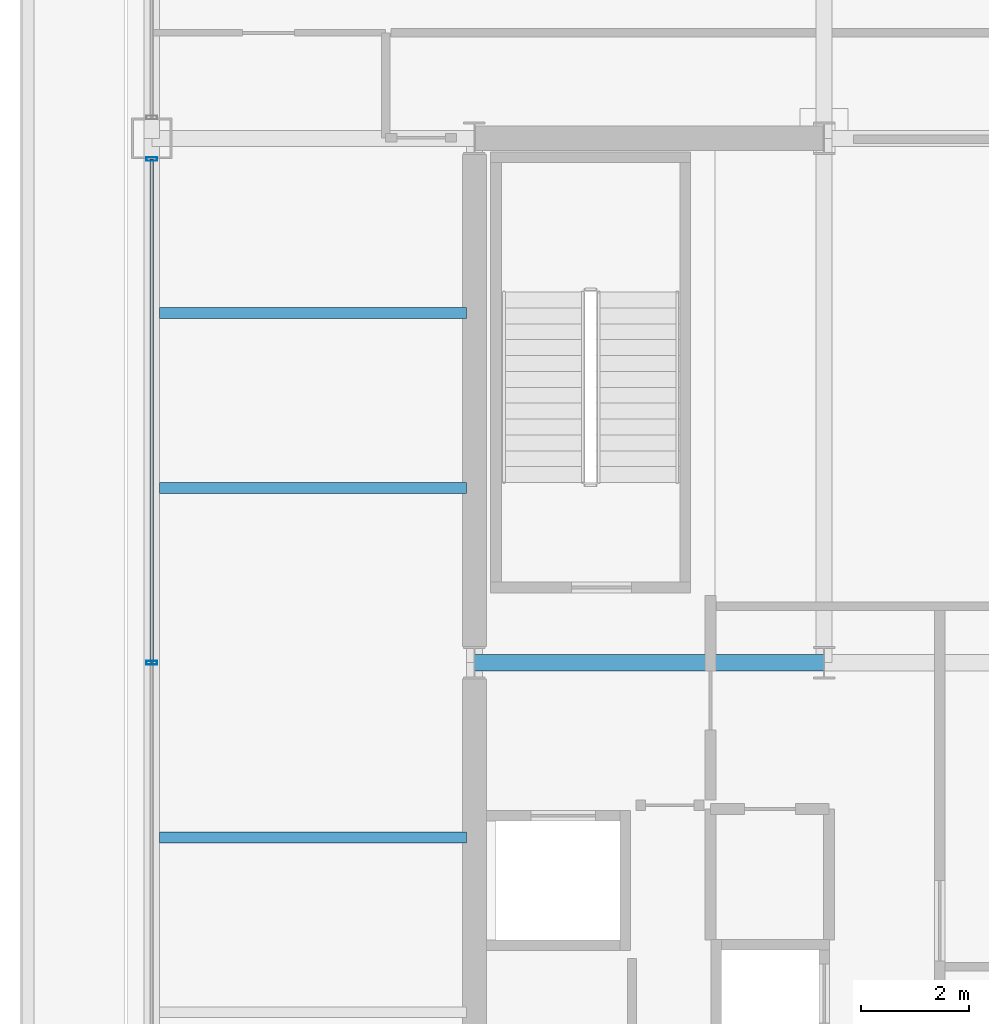
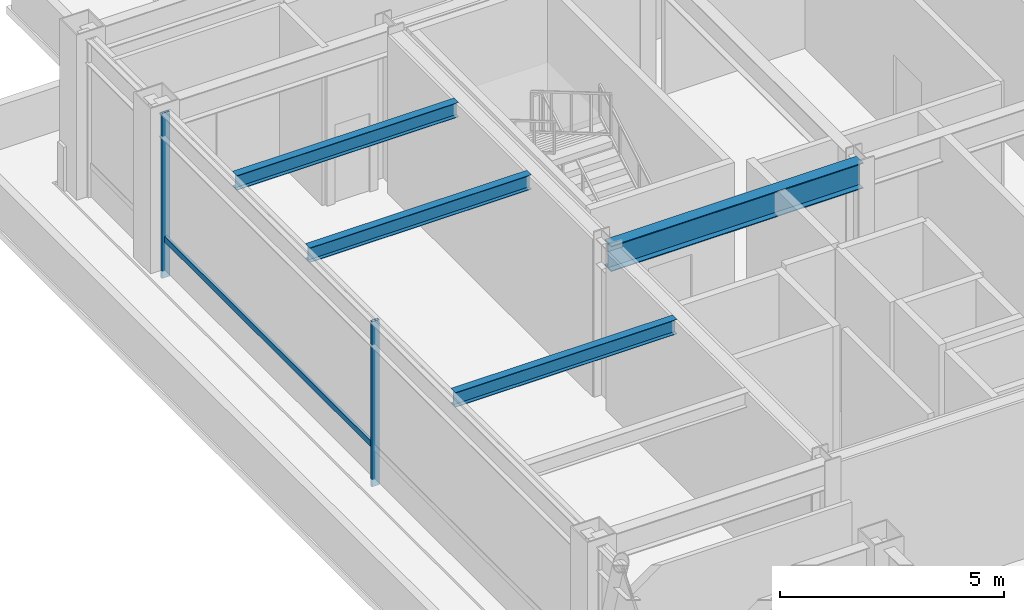
# One storey, part 7 of 24: 4 beams, 3 members, 1 element without a shape of its own.
"""IFC4 building model written with IfcOpenShell, lengths in metres."""

from ifc_helpers import new_model, si_unit, direction, frame, origin, origin_2d, place, context, subcontext, project, spatial, hollow_rectangle, i_section, extrude, material, layer, layer_set, material_profile, profile_set, type_object, element, aggregate, save


model = new_model("IFC4")

# Units and contexts
model_context = context("Model", 3, precision=1e-05, world=origin(), true_north=direction((0.0, 1.0)))
body_context = subcontext(model_context, "Body", "Model", "MODEL_VIEW")
ifc_project = project(units=[si_unit("LENGTHUNIT", "METRE"), si_unit("AREAUNIT", "SQUARE_METRE"), si_unit("VOLUMEUNIT", "CUBIC_METRE"), si_unit("PLANEANGLEUNIT", "RADIAN"), si_unit("MASSUNIT", "GRAM", prefix="KILO")], contexts=[model_context])

# Site, building, storey
site_placement = place(None, origin())
site = spatial("IfcSite", under=ifc_project, at=site_placement, CompositionType="ELEMENT")
building_placement = place(site_placement, origin())
building = spatial("IfcBuilding", under=site, at=building_placement, Name="Brelmoor Portico Tower", CompositionType="ELEMENT")
storey_placement = place(building_placement, frame((0.0, 0.0, 150.60009765625)))
storey = spatial("IfcBuildingStorey", under=building, at=storey_placement, Name="L39", CompositionType="ELEMENT", Elevation=150.60009765625)

# Beams
ifc_material_1 = material(Name="Steel Q355B", Category="steel")
ifc_material_profile_1 = material_profile(ifc_material_1, i_section(OverallWidth=0.199951171875, OverallDepth=0.39990234375, WebThickness=0.008056640625, FlangeThickness=0.012939453125, at=origin_2d()), Name="HN 400x200x8x13")
ifc_profile_set_1 = profile_set([ifc_material_profile_1], Name="Steel Q355B")
beam_type_1 = type_object("IfcBeamType", Name="BM-JS-400", PredefinedType="JOIST", material=ifc_profile_set_1)
for number, where, z_axis, x_axis, name in (
    (1, (-20.409912109375, -3.25, 4.099853515625), (1.0, 0.0, 0.0), (0.0, 1.0, 0.0), "L39 Secondary Wing Joist JS-W04"),
    (2, (-20.409912109375, 3.25, 4.099853515625), (1.0, 0.0, 0.0), (0.0, 1.0, 0.0), "L39 Secondary Wing Joist JS-W05"),
    (3, (-20.409912109375, 6.5, 4.099853515625), (1.0, 0.0, 0.0), (0.0, 1.0, 0.0), "L39 Secondary Wing Joist JS-W06"),
):
    element("IfcBeam", number, at=place(storey_placement, frame(where, z_axis=z_axis, x_axis=x_axis)), inside=storey, type_object=beam_type_1, Name=name, PredefinedType="JOIST", context=body_context, shape_type="SweptSolid", body=[
        extrude(i_section(OverallWidth=0.199951171875, OverallDepth=0.39990234375, WebThickness=0.008056640625, FlangeThickness=0.012939453125, at=origin_2d()), origin(), (0.0, 0.0, 1.0), 5.7099609375),
    ])
ifc_material_profile_2 = material_profile(ifc_material_1, i_section(OverallWidth=0.300048828125, OverallDepth=0.699951171875, WebThickness=0.012939453125, FlangeThickness=0.02392578125, at=origin_2d()), Name="HN 700x300x13x24")
ifc_profile_set_2 = profile_set([ifc_material_profile_2], Name="Steel Q355B")
beam_type_2 = type_object("IfcBeamType", Name="BM-PG-700", PredefinedType="BEAM", material=ifc_profile_set_2)
beam_placement = place(storey_placement, frame((-14.550048828125, 0.0, 3.949951171875), z_axis=(1.0, 0.0, 0.0), x_axis=(0.0, 1.0, 0.0)))
element("IfcBeam", 4, at=beam_placement, inside=storey, type_object=beam_type_2, Name="L39 Primary Floor Girder PG-15", PredefinedType="BEAM", context=body_context, shape_type="SweptSolid", body=[
    extrude(i_section(OverallWidth=0.300048828125, OverallDepth=0.699951171875, WebThickness=0.012939453125, FlangeThickness=0.02392578125, at=origin_2d()), origin(), (0.0, 0.0, 1.0), 6.5),
])

# Curtain wall, members
ifc_material_2 = material(Name="Anodised Aluminium Alloy 6063-T6", Category="aluminium")
ifc_layer = layer(ifc_material_2, 0.179931640625)
ifc_layer_set = layer_set([ifc_layer], Name="Anodised Aluminium Alloy 6063-T6")
curtain_wall_type = type_object("IfcCurtainWallType", Name="CW-SKYLOBBY", PredefinedType="NOTDEFINED", material=ifc_layer_set)
curtain_wall_placement = place(storey_placement, origin())
curtain_wall = element("IfcCurtainWall", 5, at=curtain_wall_placement, inside=storey, type_object=curtain_wall_type, Name="L39 Curtain Wall CW-L39-03-2", PredefinedType="NOTDEFINED")
ifc_material_profile_3 = material_profile(ifc_material_2, hollow_rectangle(XDim=0.070068359375, YDim=0.199951171875, WallThickness=0.00439453125, at=origin_2d()), Name="ALU MULLION 70x200")
ifc_profile_set_3 = profile_set([ifc_material_profile_3], Name="Anodised Aluminium Alloy 6063-T6")
member_type_1 = type_object("IfcMemberType", Name="MB-CW-MULL-200", PredefinedType="MULLION", material=ifc_profile_set_3)
member_1_placement = place(storey_placement, frame((-20.550048828125, 0.0, -0.2001953125), z_axis=(0.0, 0.0, 1.0), x_axis=(0.0, 1.0, 0.0)))
member_1 = element("IfcMember", 6, at=member_1_placement, type_object=member_type_1, Name="CW-L39-03-2 Mullion 01", PredefinedType="MULLION", context=body_context, shape_type="SweptSolid", body=[
    extrude(hollow_rectangle(XDim=0.070068359375, YDim=0.199951171875, WallThickness=0.00439453125, at=origin_2d()), origin(), (0.0, 0.0, 1.0), 4.5),
])
member_2_placement = place(storey_placement, frame((-20.550048828125, 9.364990234375, -0.2001953125), z_axis=(0.0, 0.0, 1.0), x_axis=(0.0, 1.0, 0.0)))
member_2 = element("IfcMember", 7, at=member_2_placement, type_object=member_type_1, Name="CW-L39-03-2 Mullion 02", PredefinedType="MULLION", context=body_context, shape_type="SweptSolid", body=[
    extrude(hollow_rectangle(XDim=0.070068359375, YDim=0.199951171875, WallThickness=0.00439453125, at=origin_2d()), origin(), (0.0, 0.0, 1.0), 4.5),
])
ifc_material_profile_4 = material_profile(ifc_material_2, hollow_rectangle(XDim=0.070068359375, YDim=0.159912109375, WallThickness=0.00390625, at=origin_2d()), Name="ALU TRANSOM 70x160")
ifc_profile_set_4 = profile_set([ifc_material_profile_4], Name="Anodised Aluminium Alloy 6063-T6")
member_type_2 = type_object("IfcMemberType", Name="MB-CW-TRAN-160", PredefinedType="USERDEFINED", material=ifc_profile_set_4)
member_3_placement = place(storey_placement, frame((-20.550048828125, 0.0, 0.849853515625), z_axis=(0.0, 1.0, 0.0), x_axis=(-1.0, 0.0, 0.0)))
member_3 = element("IfcMember", 8, at=member_3_placement, type_object=member_type_2, Name="CW-L39-03-2 Transom 1-01", ObjectType="TRANSOM", PredefinedType="USERDEFINED", context=body_context, shape_type="SweptSolid", body=[
    extrude(hollow_rectangle(XDim=0.070068359375, YDim=0.159912109375, WallThickness=0.00390625, at=origin_2d()), origin(), (0.0, 0.0, 1.0), 9.364990234375),
])
aggregate(curtain_wall, [member_1, member_2, member_3])

save(model, "model.ifc")
